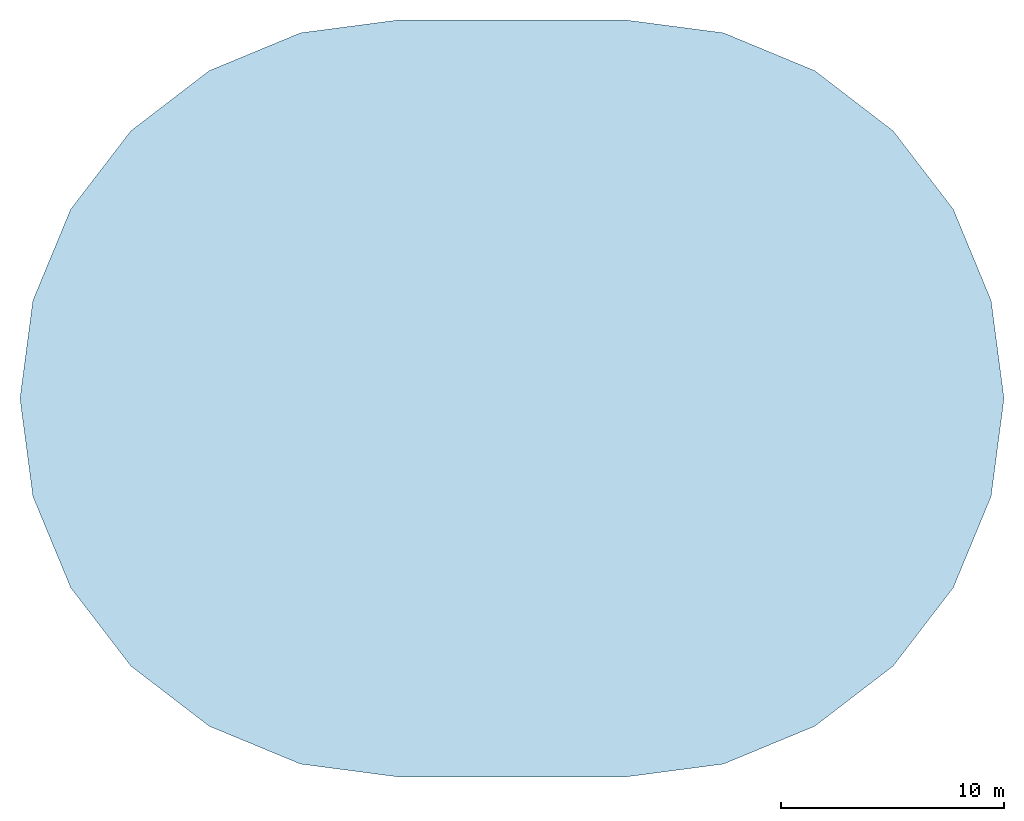
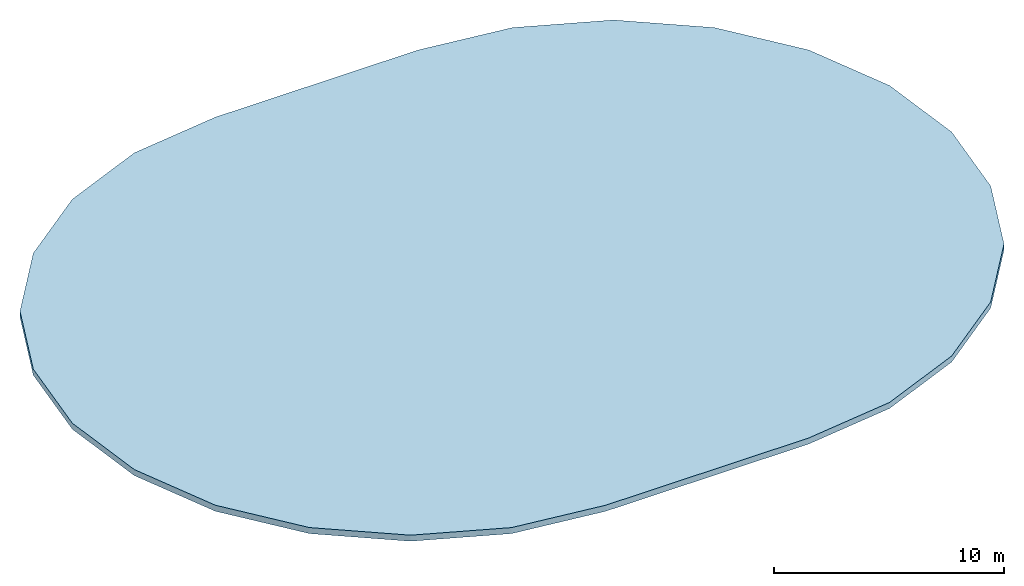
# One storey: 1 slab.
"""IFC4 building model written with IfcOpenShell, lengths in metres."""

from ifc_helpers import new_model, si_unit, direction, frame, origin, place, context, subcontext, project, spatial, polyline, outline, extrude, material, layer, layer_set, type_object, element, save


model = new_model("IFC4")

# Units and contexts
model_context = context("Model", 3, precision=1e-05, world=origin(), true_north=direction((0.0, 1.0)))
body_context = subcontext(model_context, "Body", "Model", "MODEL_VIEW")
ifc_project = project(units=[si_unit("LENGTHUNIT", "METRE"), si_unit("AREAUNIT", "SQUARE_METRE"), si_unit("VOLUMEUNIT", "CUBIC_METRE"), si_unit("PLANEANGLEUNIT", "RADIAN"), si_unit("MASSUNIT", "GRAM", prefix="KILO")], contexts=[model_context])

# Site, building, storey
site_placement = place(None, origin())
site = spatial("IfcSite", under=ifc_project, at=site_placement, CompositionType="ELEMENT")
building_placement = place(site_placement, origin())
building = spatial("IfcBuilding", under=site, at=building_placement, Name="Yelkora Congress Tower", CompositionType="ELEMENT")
storey_placement = place(building_placement, frame((0.0, 0.0, 324.679931640625)))
storey = spatial("IfcBuildingStorey", under=building, at=storey_placement, Name="Upper Roof", CompositionType="ELEMENT", Elevation=324.679931640625)

# Slab
ifc_material = material(Name="Concrete C40/50", Category="concrete")
ifc_layer = layer(ifc_material, 0.320068359375)
ifc_layer_set = layer_set([ifc_layer], Name="Concrete C40/50")
slab_type = type_object("IfcSlabType", Name="SLAB-CROWN-320", PredefinedType="ROOF", material=ifc_layer_set)
slab_placement = place(storey_placement, origin())
element("IfcSlab", 1, at=slab_placement, inside=storey, type_object=slab_type, Name="Crown Stadium Ring Closed Top Cap Roof Slab", PredefinedType="ROOF", context=body_context, shape_type="SweptSolid", body=[
    extrude(outline(polyline([(43.5, 17.39990234375), (47.89990234375, 17.979248046875), (52.0, 19.677490234375), (55.520751953125, 22.379150390625), (58.222412109375, 25.89990234375), (59.920654296875, 30.0), (60.5, 34.39990234375), (59.920654296875, 38.7998046875), (58.222412109375, 42.89990234375), (55.520751953125, 46.4208984375), (52.0, 49.122314453125), (47.89990234375, 50.82080078125), (43.5, 51.39990234375), (33.300048828125, 51.39990234375), (28.900146484375, 50.82080078125), (24.800048828125, 49.122314453125), (21.279296875, 46.4208984375), (18.57763671875, 42.89990234375), (16.87939453125, 38.7998046875), (16.300048828125, 34.39990234375), (16.87939453125, 30.0), (18.57763671875, 25.89990234375), (21.279296875, 22.379150390625), (24.800048828125, 19.677490234375), (28.900146484375, 17.979248046875), (33.300048828125, 17.39990234375), (43.5, 17.39990234375)])), origin(), (0.0, 0.0, 1.0), 0.320068359375),
])

save(model, "model.ifc")
